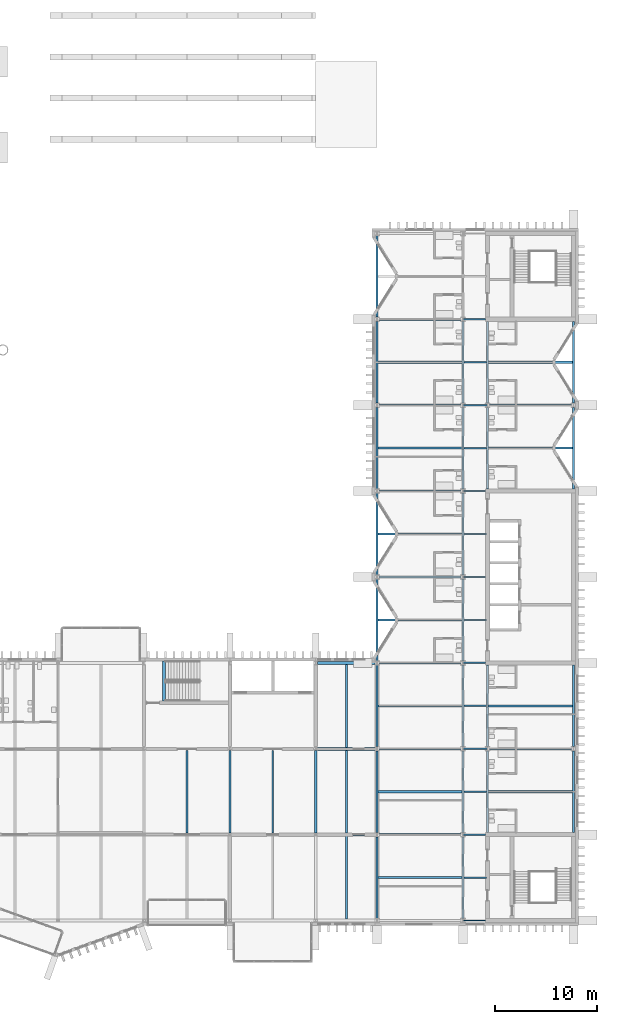
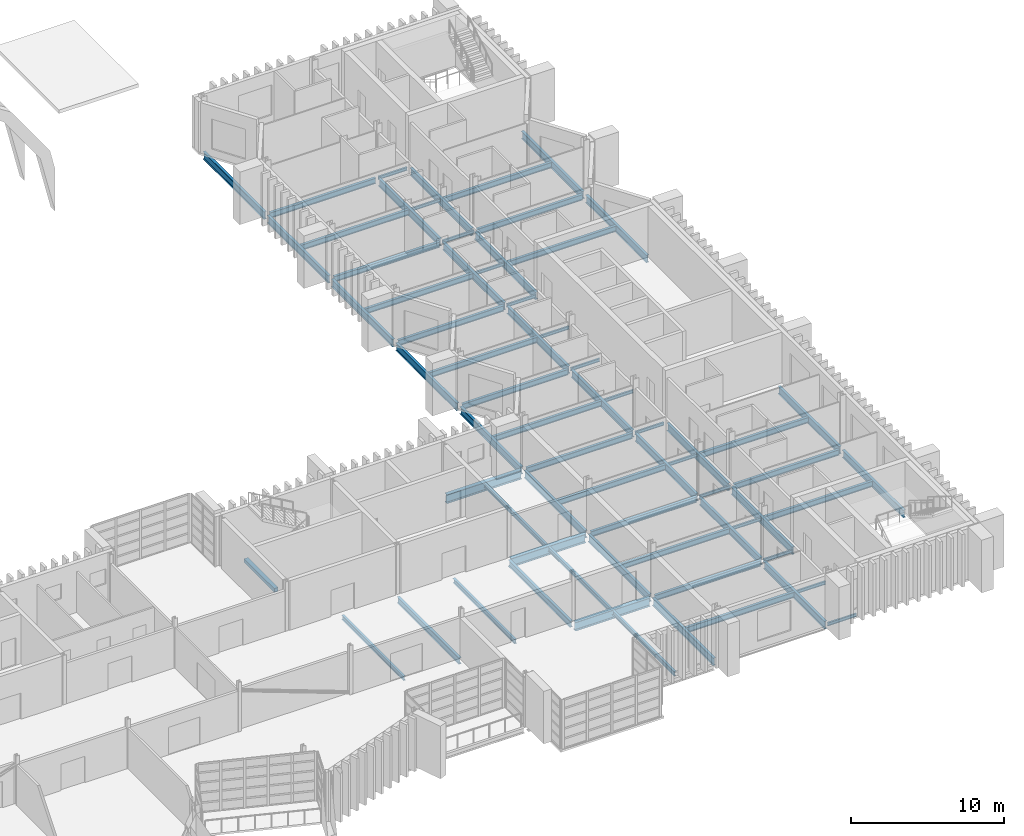
# One storey, part 39 of 88: 69 beams.
"""IFC4 building model written with IfcOpenShell, lengths in metres."""

from ifc_helpers import new_model, si_unit, direction, frame, origin, origin_2d, place, context, subcontext, project, spatial, rectangle, i_section, extrude, material, material_profile, profile_set, type_object, element, save


model = new_model("IFC4")

# Units and contexts
model_context = context("Model", 3, precision=1e-05, world=origin(), true_north=direction((0.0, 1.0)))
body_context = subcontext(model_context, "Body", "Model", "MODEL_VIEW")
ifc_project = project(units=[si_unit("LENGTHUNIT", "METRE"), si_unit("AREAUNIT", "SQUARE_METRE"), si_unit("VOLUMEUNIT", "CUBIC_METRE"), si_unit("PLANEANGLEUNIT", "RADIAN"), si_unit("MASSUNIT", "GRAM", prefix="KILO")], contexts=[model_context])

# Site, building, storey
site_placement = place(None, origin())
site = spatial("IfcSite", under=ifc_project, at=site_placement, CompositionType="ELEMENT")
building_placement = place(site_placement, origin())
building = spatial("IfcBuilding", under=site, at=building_placement, Name="Cresset Court Congress Hotel", CompositionType="ELEMENT")
storey_placement = place(building_placement, frame((0.0, 0.0, 14.39990234375)))
storey = spatial("IfcBuildingStorey", under=building, at=storey_placement, Name="L03", CompositionType="ELEMENT", Elevation=14.39990234375)

# Beams
ifc_material_1 = material(Name="Concrete C40", Category="concrete")
ifc_material_profile_1 = material_profile(ifc_material_1, rectangle(XDim=0.300048828125, YDim=0.300048828125, at=origin_2d()), Name="RC300x300")
ifc_profile_set_1 = profile_set([ifc_material_profile_1], Name="Concrete C40")
beam_type_1 = type_object("IfcBeamType", Name="Stair trimmer beam RC300x300", PredefinedType="BEAM", material=ifc_profile_set_1)
beam_1_placement = place(storey_placement, frame((136.35009765625, 21.449951171875, -0.2998046875), z_axis=(0.0, 1.0, 0.0), x_axis=(-1.0, 0.0, 0.0)))
element("IfcBeam", 1, at=beam_1_placement, inside=storey, type_object=beam_type_1, Name="Trimmer beam ST-B5 L03", PredefinedType="BEAM", context=body_context, shape_type="SweptSolid", body=[
    extrude(rectangle(XDim=0.300048828125, YDim=0.300048828125, at=origin_2d()), origin(), (0.0, 0.0, 1.0), 3.949951171875),
])
ifc_material_2 = material(Name="Structural steel Q355B", Category="steel")
ifc_material_profile_2 = material_profile(ifc_material_2, i_section(OverallWidth=0.198974609375, OverallDepth=0.446044921875, WebThickness=0.008056640625, FlangeThickness=0.011962890625, FilletRadius=0.012939453125, at=origin_2d()), Name="HN446x199x8x12")
ifc_profile_set_2 = profile_set([ifc_material_profile_2], Name="Structural steel Q355B")
beam_type_2 = type_object("IfcBeamType", Name="Steel beam HN446x199x8x12", PredefinedType="BEAM", material=ifc_profile_set_2)
beam_2_placement = place(storey_placement, frame((157.300048828125, 4.199951171875, -0.372802734375), z_axis=(1.0, 0.0, 0.0), x_axis=(0.0, 1.0, 0.0)))
element("IfcBeam", 2, at=beam_2_placement, inside=storey, type_object=beam_type_2, Name="A.bm.L03.W.mid.0", PredefinedType="BEAM", context=body_context, shape_type="SweptSolid", body=[
    extrude(i_section(OverallWidth=0.198974609375, OverallDepth=0.446044921875, WebThickness=0.008056640625, FlangeThickness=0.011962890625, FilletRadius=0.012939453125, at=origin_2d()), origin(), (0.0, 0.0, 1.0), 8.199951171875),
])
beam_3_placement = place(storey_placement, frame((157.402587890625, 8.39990234375, -0.372802734375), z_axis=(1.0, 0.0, 0.0), x_axis=(0.0, 1.0, 0.0)))
element("IfcBeam", 3, at=beam_3_placement, inside=storey, type_object=beam_type_2, Name="A.bm.L03.W.frame0.1", PredefinedType="BEAM", context=body_context, shape_type="SweptSolid", body=[
    extrude(i_section(OverallWidth=0.198974609375, OverallDepth=0.446044921875, WebThickness=0.008056640625, FlangeThickness=0.011962890625, FilletRadius=0.012939453125, at=origin_2d()), origin(), (0.0, 0.0, 1.0), 7.994873046875),
])
for number, where, z_axis, x_axis, name in (
    (4, (157.300048828125, 12.60009765625, -0.372802734375), (1.0, 0.0, 0.0), (0.0, 1.0, 0.0), "A.bm.L03.W.mid.1"),
    (5, (168.10009765625, 12.60009765625, -0.372802734375), (1.0, 0.0, 0.0), (0.0, 1.0, 0.0), "A.bm.L03.E.mid.1"),
):
    element("IfcBeam", number, at=place(storey_placement, frame(where, z_axis=z_axis, x_axis=x_axis)), inside=storey, type_object=beam_type_2, Name=name, PredefinedType="BEAM", context=body_context, shape_type="SweptSolid", body=[
        extrude(i_section(OverallWidth=0.198974609375, OverallDepth=0.446044921875, WebThickness=0.008056640625, FlangeThickness=0.011962890625, FilletRadius=0.012939453125, at=origin_2d()), origin(), (0.0, 0.0, 1.0), 8.199951171875),
    ])
beam_4_placement = place(storey_placement, frame((157.402587890625, 16.800048828125, -0.372802734375), z_axis=(1.0, 0.0, 0.0), x_axis=(0.0, 1.0, 0.0)))
element("IfcBeam", 6, at=beam_4_placement, inside=storey, type_object=beam_type_2, Name="A.bm.L03.W.frame0.2", PredefinedType="BEAM", context=body_context, shape_type="SweptSolid", body=[
    extrude(i_section(OverallWidth=0.198974609375, OverallDepth=0.446044921875, WebThickness=0.008056640625, FlangeThickness=0.011962890625, FilletRadius=0.012939453125, at=origin_2d()), origin(), (0.0, 0.0, 1.0), 7.994873046875),
])
beam_5_placement = place(storey_placement, frame((168.202392578125, 16.800048828125, -0.372802734375), z_axis=(1.0, 0.0, 0.0), x_axis=(0.0, 1.0, 0.0)))
element("IfcBeam", 7, at=beam_5_placement, inside=storey, type_object=beam_type_2, Name="A.bm.L03.E.frame0.2", PredefinedType="BEAM", context=body_context, shape_type="SweptSolid", body=[
    extrude(i_section(OverallWidth=0.198974609375, OverallDepth=0.446044921875, WebThickness=0.008056640625, FlangeThickness=0.011962890625, FilletRadius=0.012939453125, at=origin_2d()), origin(), (0.0, 0.0, 1.0), 7.9951171875),
])
for number, where, z_axis, x_axis, name in (
    (8, (157.300048828125, 21.0, -0.372802734375), (1.0, 0.0, 0.0), (0.0, 1.0, 0.0), "A.bm.L03.W.mid.2"),
    (9, (168.10009765625, 21.0, -0.372802734375), (1.0, 0.0, 0.0), (0.0, 1.0, 0.0), "A.bm.L03.E.mid.2"),
):
    element("IfcBeam", number, at=place(storey_placement, frame(where, z_axis=z_axis, x_axis=x_axis)), inside=storey, type_object=beam_type_2, Name=name, PredefinedType="BEAM", context=body_context, shape_type="SweptSolid", body=[
        extrude(i_section(OverallWidth=0.198974609375, OverallDepth=0.446044921875, WebThickness=0.008056640625, FlangeThickness=0.011962890625, FilletRadius=0.012939453125, at=origin_2d()), origin(), (0.0, 0.0, 1.0), 8.199951171875),
    ])
beam_6_placement = place(storey_placement, frame((157.402587890625, 25.199951171875, -0.372802734375), z_axis=(1.0, 0.0, 0.0), x_axis=(0.0, 1.0, 0.0)))
element("IfcBeam", 10, at=beam_6_placement, inside=storey, type_object=beam_type_2, Name="A.bm.L03.W.frame0.3", PredefinedType="BEAM", context=body_context, shape_type="SweptSolid", body=[
    extrude(i_section(OverallWidth=0.198974609375, OverallDepth=0.446044921875, WebThickness=0.008056640625, FlangeThickness=0.011962890625, FilletRadius=0.012939453125, at=origin_2d()), origin(), (0.0, 0.0, 1.0), 7.994873046875),
])
beam_7_placement = place(storey_placement, frame((157.300048828125, 29.39990234375, -0.372802734375), z_axis=(1.0, 0.0, 0.0), x_axis=(0.0, 1.0, 0.0)))
element("IfcBeam", 11, at=beam_7_placement, inside=storey, type_object=beam_type_2, Name="A.bm.L03.W.mid.3", PredefinedType="BEAM", context=body_context, shape_type="SweptSolid", body=[
    extrude(i_section(OverallWidth=0.198974609375, OverallDepth=0.446044921875, WebThickness=0.008056640625, FlangeThickness=0.011962890625, FilletRadius=0.012939453125, at=origin_2d()), origin(), (0.0, 0.0, 1.0), 8.199951171875),
])
beam_8_placement = place(storey_placement, frame((157.402587890625, 33.60009765625, -0.372802734375), z_axis=(1.0, 0.0, 0.0), x_axis=(0.0, 1.0, 0.0)))
element("IfcBeam", 12, at=beam_8_placement, inside=storey, type_object=beam_type_2, Name="A.bm.L03.W.frame0.4", PredefinedType="BEAM", context=body_context, shape_type="SweptSolid", body=[
    extrude(i_section(OverallWidth=0.198974609375, OverallDepth=0.446044921875, WebThickness=0.008056640625, FlangeThickness=0.011962890625, FilletRadius=0.012939453125, at=origin_2d()), origin(), (0.0, 0.0, 1.0), 7.994873046875),
])
beam_9_placement = place(storey_placement, frame((157.300048828125, 37.800048828125, -0.372802734375), z_axis=(1.0, 0.0, 0.0), x_axis=(0.0, 1.0, 0.0)))
element("IfcBeam", 13, at=beam_9_placement, inside=storey, type_object=beam_type_2, Name="A.bm.L03.W.mid.4", PredefinedType="BEAM", context=body_context, shape_type="SweptSolid", body=[
    extrude(i_section(OverallWidth=0.198974609375, OverallDepth=0.446044921875, WebThickness=0.008056640625, FlangeThickness=0.011962890625, FilletRadius=0.012939453125, at=origin_2d()), origin(), (0.0, 0.0, 1.0), 8.199951171875),
])
beam_10_placement = place(storey_placement, frame((157.402587890625, 42.0, -0.372802734375), z_axis=(1.0, 0.0, 0.0), x_axis=(0.0, 1.0, 0.0)))
element("IfcBeam", 14, at=beam_10_placement, inside=storey, type_object=beam_type_2, Name="A.bm.L03.W.frame0.5", PredefinedType="BEAM", context=body_context, shape_type="SweptSolid", body=[
    extrude(i_section(OverallWidth=0.198974609375, OverallDepth=0.446044921875, WebThickness=0.008056640625, FlangeThickness=0.011962890625, FilletRadius=0.012939453125, at=origin_2d()), origin(), (0.0, 0.0, 1.0), 7.994873046875),
])
for number, where, z_axis, x_axis, name in (
    (15, (157.300048828125, 46.199951171875, -0.372802734375), (1.0, 0.0, 0.0), (0.0, 1.0, 0.0), "A.bm.L03.W.mid.5"),
    (16, (168.10009765625, 46.199951171875, -0.372802734375), (1.0, 0.0, 0.0), (0.0, 1.0, 0.0), "A.bm.L03.E.mid.5"),
):
    element("IfcBeam", number, at=place(storey_placement, frame(where, z_axis=z_axis, x_axis=x_axis)), inside=storey, type_object=beam_type_2, Name=name, PredefinedType="BEAM", context=body_context, shape_type="SweptSolid", body=[
        extrude(i_section(OverallWidth=0.198974609375, OverallDepth=0.446044921875, WebThickness=0.008056640625, FlangeThickness=0.011962890625, FilletRadius=0.012939453125, at=origin_2d()), origin(), (0.0, 0.0, 1.0), 8.199951171875),
    ])
beam_11_placement = place(storey_placement, frame((157.402587890625, 50.39990234375, -0.372802734375), z_axis=(1.0, 0.0, 0.0), x_axis=(0.0, 1.0, 0.0)))
element("IfcBeam", 17, at=beam_11_placement, inside=storey, type_object=beam_type_2, Name="A.bm.L03.W.frame0.6", PredefinedType="BEAM", context=body_context, shape_type="SweptSolid", body=[
    extrude(i_section(OverallWidth=0.198974609375, OverallDepth=0.446044921875, WebThickness=0.008056640625, FlangeThickness=0.011962890625, FilletRadius=0.012939453125, at=origin_2d()), origin(), (0.0, 0.0, 1.0), 7.994873046875),
])
beam_12_placement = place(storey_placement, frame((168.202392578125, 50.39990234375, -0.372802734375), z_axis=(1.0, 0.0, 0.0), x_axis=(0.0, 1.0, 0.0)))
element("IfcBeam", 18, at=beam_12_placement, inside=storey, type_object=beam_type_2, Name="A.bm.L03.E.frame0.6", PredefinedType="BEAM", context=body_context, shape_type="SweptSolid", body=[
    extrude(i_section(OverallWidth=0.198974609375, OverallDepth=0.446044921875, WebThickness=0.008056640625, FlangeThickness=0.011962890625, FilletRadius=0.012939453125, at=origin_2d()), origin(), (0.0, 0.0, 1.0), 7.9951171875),
])
for number, where, z_axis, x_axis, name in (
    (19, (157.300048828125, 54.60009765625, -0.372802734375), (1.0, 0.0, 0.0), (0.0, 1.0, 0.0), "A.bm.L03.W.mid.6"),
    (20, (168.10009765625, 54.60009765625, -0.372802734375), (1.0, 0.0, 0.0), (0.0, 1.0, 0.0), "A.bm.L03.E.mid.6"),
):
    element("IfcBeam", number, at=place(storey_placement, frame(where, z_axis=z_axis, x_axis=x_axis)), inside=storey, type_object=beam_type_2, Name=name, PredefinedType="BEAM", context=body_context, shape_type="SweptSolid", body=[
        extrude(i_section(OverallWidth=0.198974609375, OverallDepth=0.446044921875, WebThickness=0.008056640625, FlangeThickness=0.011962890625, FilletRadius=0.012939453125, at=origin_2d()), origin(), (0.0, 0.0, 1.0), 8.199951171875),
    ])
beam_13_placement = place(storey_placement, frame((157.402587890625, 58.800048828125, -0.372802734375), z_axis=(1.0, 0.0, 0.0), x_axis=(0.0, 1.0, 0.0)))
element("IfcBeam", 21, at=beam_13_placement, inside=storey, type_object=beam_type_2, Name="A.bm.L03.W.frame0.7", PredefinedType="BEAM", context=body_context, shape_type="SweptSolid", body=[
    extrude(i_section(OverallWidth=0.198974609375, OverallDepth=0.446044921875, WebThickness=0.008056640625, FlangeThickness=0.011962890625, FilletRadius=0.012939453125, at=origin_2d()), origin(), (0.0, 0.0, 1.0), 7.994873046875),
])
ifc_material_3 = material(Name="Structural steel Q355B", Category="steel")
ifc_material_profile_3 = material_profile(ifc_material_3, i_section(OverallWidth=0.199951171875, OverallDepth=0.5, WebThickness=0.010009765625, FlangeThickness=0.01611328125, FilletRadius=0.012939453125, at=origin_2d()), Name="HN500x200x10x16")
ifc_profile_set_3 = profile_set([ifc_material_profile_3], Name="Structural steel Q355B")
beam_type_3 = type_object("IfcBeamType", Name="Steel beam HN500x200x10x16", PredefinedType="BEAM", material=ifc_profile_set_3)
for number, where, z_axis, x_axis, name in (
    (22, (142.800048828125, 8.550048828125, -0.39990234375), (0.0, 1.0, 0.0), (-1.0, 0.0, 0.0), "B.by.L03.18B"),
    (23, (151.199951171875, 8.550048828125, -0.39990234375), (0.0, 1.0, 0.0), (-1.0, 0.0, 0.0), "B.by.L03.19B"),
):
    element("IfcBeam", number, at=place(storey_placement, frame(where, z_axis=z_axis, x_axis=x_axis)), inside=storey, type_object=beam_type_3, Name=name, PredefinedType="BEAM", context=body_context, shape_type="SweptSolid", body=[
        extrude(i_section(OverallWidth=0.199951171875, OverallDepth=0.5, WebThickness=0.010009765625, FlangeThickness=0.01611328125, FilletRadius=0.012939453125, at=origin_2d()), origin(), (0.0, 0.0, 1.0), 8.099853515625),
    ])
ifc_material_4 = material(Name="Structural steel Q355B", Category="steel")
ifc_material_profile_4 = material_profile(ifc_material_4, i_section(OverallWidth=0.300048828125, OverallDepth=0.699951171875, WebThickness=0.012939453125, FlangeThickness=0.02392578125, FilletRadius=0.01806640625, at=origin_2d()), Name="HN700x300x13x24")
ifc_profile_set_4 = profile_set([ifc_material_profile_4], Name="Structural steel Q355B")
beam_type_4 = type_object("IfcBeamType", Name="Steel beam HN700x300x13x24", PredefinedType="BEAM", material=ifc_profile_set_4)
for number, where, z_axis, x_axis, name in (
    (24, (151.35009765625, 8.39990234375, -0.5), (1.0, 0.0, 0.0), (0.0, 1.0, 0.0), "B.bx.L03.B19"),
    (25, (151.35009765625, 16.800048828125, -0.5), (1.0, 0.0, 0.0), (0.0, 1.0, 0.0), "B.bx.L03.C19"),
    (26, (151.35009765625, 25.199951171875, -0.5), (1.0, 0.0, 0.0), (0.0, 1.0, 0.0), "B.bx.L03.D19"),
):
    element("IfcBeam", number, at=place(storey_placement, frame(where, z_axis=z_axis, x_axis=x_axis)), inside=storey, type_object=beam_type_4, Name=name, PredefinedType="BEAM", context=body_context, shape_type="SweptSolid", body=[
        extrude(i_section(OverallWidth=0.300048828125, OverallDepth=0.699951171875, WebThickness=0.012939453125, FlangeThickness=0.02392578125, FilletRadius=0.01806640625, at=origin_2d()), origin(), (0.0, 0.0, 1.0), 5.64990234375),
    ])
ifc_material_5 = material(Name="Structural steel Q355B", Category="steel")
ifc_material_profile_5 = material_profile(ifc_material_5, i_section(OverallWidth=0.125, OverallDepth=0.25, WebThickness=0.006103515625, FlangeThickness=0.009033203125, FilletRadius=0.012939453125, at=origin_2d()), Name="HN250x125x6x9")
ifc_profile_set_5 = profile_set([ifc_material_profile_5], Name="Structural steel Q355B")
beam_type_5 = type_object("IfcBeamType", Name="Steel corridor beam HN250x125x6x9", PredefinedType="BEAM", material=ifc_profile_set_5)
beam_14_placement = place(storey_placement, frame((165.60888671875, 0.0, -0.27490234375), z_axis=(1.0, 0.0, 0.0), x_axis=(0.0, 1.0, 0.0)))
element("IfcBeam", 27, at=beam_14_placement, inside=storey, type_object=beam_type_5, Name="A.bm.L03.C.frame0.0", PredefinedType="BEAM", context=body_context, shape_type="SweptSolid", body=[
    extrude(i_section(OverallWidth=0.125, OverallDepth=0.25, WebThickness=0.006103515625, FlangeThickness=0.009033203125, FilletRadius=0.012939453125, at=origin_2d()), origin(), (0.0, 0.0, 1.0), 2.191162109375),
])
beam_15_placement = place(storey_placement, frame((165.699951171875, 4.199951171875, -0.27490234375), z_axis=(1.0, 0.0, 0.0), x_axis=(0.0, 1.0, 0.0)))
element("IfcBeam", 28, at=beam_15_placement, inside=storey, type_object=beam_type_5, Name="A.bm.L03.C.mid.0", PredefinedType="BEAM", context=body_context, shape_type="SweptSolid", body=[
    extrude(i_section(OverallWidth=0.125, OverallDepth=0.25, WebThickness=0.006103515625, FlangeThickness=0.009033203125, FilletRadius=0.012939453125, at=origin_2d()), origin(), (0.0, 0.0, 1.0), 2.199951171875),
])
beam_16_placement = place(storey_placement, frame((165.60888671875, 8.39990234375, -0.27490234375), z_axis=(1.0, 0.0, 0.0), x_axis=(0.0, 1.0, 0.0)))
element("IfcBeam", 29, at=beam_16_placement, inside=storey, type_object=beam_type_5, Name="A.bm.L03.C.frame0.1", PredefinedType="BEAM", context=body_context, shape_type="SweptSolid", body=[
    extrude(i_section(OverallWidth=0.125, OverallDepth=0.25, WebThickness=0.006103515625, FlangeThickness=0.009033203125, FilletRadius=0.012939453125, at=origin_2d()), origin(), (0.0, 0.0, 1.0), 2.191162109375),
])
beam_17_placement = place(storey_placement, frame((165.699951171875, 12.60009765625, -0.27490234375), z_axis=(1.0, 0.0, 0.0), x_axis=(0.0, 1.0, 0.0)))
element("IfcBeam", 30, at=beam_17_placement, inside=storey, type_object=beam_type_5, Name="A.bm.L03.C.mid.1", PredefinedType="BEAM", context=body_context, shape_type="SweptSolid", body=[
    extrude(i_section(OverallWidth=0.125, OverallDepth=0.25, WebThickness=0.006103515625, FlangeThickness=0.009033203125, FilletRadius=0.012939453125, at=origin_2d()), origin(), (0.0, 0.0, 1.0), 2.199951171875),
])
beam_18_placement = place(storey_placement, frame((165.60888671875, 16.800048828125, -0.27490234375), z_axis=(1.0, 0.0, 0.0), x_axis=(0.0, 1.0, 0.0)))
element("IfcBeam", 31, at=beam_18_placement, inside=storey, type_object=beam_type_5, Name="A.bm.L03.C.frame0.2", PredefinedType="BEAM", context=body_context, shape_type="SweptSolid", body=[
    extrude(i_section(OverallWidth=0.125, OverallDepth=0.25, WebThickness=0.006103515625, FlangeThickness=0.009033203125, FilletRadius=0.012939453125, at=origin_2d()), origin(), (0.0, 0.0, 1.0), 2.382080078125),
])
beam_19_placement = place(storey_placement, frame((165.699951171875, 21.0, -0.27490234375), z_axis=(1.0, 0.0, 0.0), x_axis=(0.0, 1.0, 0.0)))
element("IfcBeam", 32, at=beam_19_placement, inside=storey, type_object=beam_type_5, Name="A.bm.L03.C.mid.2", PredefinedType="BEAM", context=body_context, shape_type="SweptSolid", body=[
    extrude(i_section(OverallWidth=0.125, OverallDepth=0.25, WebThickness=0.006103515625, FlangeThickness=0.009033203125, FilletRadius=0.012939453125, at=origin_2d()), origin(), (0.0, 0.0, 1.0), 2.199951171875),
])
beam_20_placement = place(storey_placement, frame((165.60888671875, 25.199951171875, -0.27490234375), z_axis=(1.0, 0.0, 0.0), x_axis=(0.0, 1.0, 0.0)))
element("IfcBeam", 33, at=beam_20_placement, inside=storey, type_object=beam_type_5, Name="A.bm.L03.C.frame0.3", PredefinedType="BEAM", context=body_context, shape_type="SweptSolid", body=[
    extrude(i_section(OverallWidth=0.125, OverallDepth=0.25, WebThickness=0.006103515625, FlangeThickness=0.009033203125, FilletRadius=0.012939453125, at=origin_2d()), origin(), (0.0, 0.0, 1.0), 2.191162109375),
])
beam_21_placement = place(storey_placement, frame((165.699951171875, 29.39990234375, -0.27490234375), z_axis=(1.0, 0.0, 0.0), x_axis=(0.0, 1.0, 0.0)))
element("IfcBeam", 34, at=beam_21_placement, inside=storey, type_object=beam_type_5, Name="A.bm.L03.C.mid.3", PredefinedType="BEAM", context=body_context, shape_type="SweptSolid", body=[
    extrude(i_section(OverallWidth=0.125, OverallDepth=0.25, WebThickness=0.006103515625, FlangeThickness=0.009033203125, FilletRadius=0.012939453125, at=origin_2d()), origin(), (0.0, 0.0, 1.0), 2.199951171875),
])
beam_22_placement = place(storey_placement, frame((165.60888671875, 33.60009765625, -0.27490234375), z_axis=(1.0, 0.0, 0.0), x_axis=(0.0, 1.0, 0.0)))
element("IfcBeam", 35, at=beam_22_placement, inside=storey, type_object=beam_type_5, Name="A.bm.L03.C.frame0.4", PredefinedType="BEAM", context=body_context, shape_type="SweptSolid", body=[
    extrude(i_section(OverallWidth=0.125, OverallDepth=0.25, WebThickness=0.006103515625, FlangeThickness=0.009033203125, FilletRadius=0.012939453125, at=origin_2d()), origin(), (0.0, 0.0, 1.0), 2.191162109375),
])
beam_23_placement = place(storey_placement, frame((165.699951171875, 37.800048828125, -0.27490234375), z_axis=(1.0, 0.0, 0.0), x_axis=(0.0, 1.0, 0.0)))
element("IfcBeam", 36, at=beam_23_placement, inside=storey, type_object=beam_type_5, Name="A.bm.L03.C.mid.4", PredefinedType="BEAM", context=body_context, shape_type="SweptSolid", body=[
    extrude(i_section(OverallWidth=0.125, OverallDepth=0.25, WebThickness=0.006103515625, FlangeThickness=0.009033203125, FilletRadius=0.012939453125, at=origin_2d()), origin(), (0.0, 0.0, 1.0), 2.199951171875),
])
beam_24_placement = place(storey_placement, frame((165.60888671875, 42.0, -0.27490234375), z_axis=(1.0, 0.0, 0.0), x_axis=(0.0, 1.0, 0.0)))
element("IfcBeam", 37, at=beam_24_placement, inside=storey, type_object=beam_type_5, Name="A.bm.L03.C.frame0.5", PredefinedType="BEAM", context=body_context, shape_type="SweptSolid", body=[
    extrude(i_section(OverallWidth=0.125, OverallDepth=0.25, WebThickness=0.006103515625, FlangeThickness=0.009033203125, FilletRadius=0.012939453125, at=origin_2d()), origin(), (0.0, 0.0, 1.0), 2.191162109375),
])
beam_25_placement = place(storey_placement, frame((165.699951171875, 46.199951171875, -0.27490234375), z_axis=(1.0, 0.0, 0.0), x_axis=(0.0, 1.0, 0.0)))
element("IfcBeam", 38, at=beam_25_placement, inside=storey, type_object=beam_type_5, Name="A.bm.L03.C.mid.5", PredefinedType="BEAM", context=body_context, shape_type="SweptSolid", body=[
    extrude(i_section(OverallWidth=0.125, OverallDepth=0.25, WebThickness=0.006103515625, FlangeThickness=0.009033203125, FilletRadius=0.012939453125, at=origin_2d()), origin(), (0.0, 0.0, 1.0), 2.199951171875),
])
beam_26_placement = place(storey_placement, frame((165.60888671875, 50.39990234375, -0.27490234375), z_axis=(1.0, 0.0, 0.0), x_axis=(0.0, 1.0, 0.0)))
element("IfcBeam", 39, at=beam_26_placement, inside=storey, type_object=beam_type_5, Name="A.bm.L03.C.frame0.6", PredefinedType="BEAM", context=body_context, shape_type="SweptSolid", body=[
    extrude(i_section(OverallWidth=0.125, OverallDepth=0.25, WebThickness=0.006103515625, FlangeThickness=0.009033203125, FilletRadius=0.012939453125, at=origin_2d()), origin(), (0.0, 0.0, 1.0), 2.382080078125),
])
beam_27_placement = place(storey_placement, frame((165.699951171875, 54.60009765625, -0.27490234375), z_axis=(1.0, 0.0, 0.0), x_axis=(0.0, 1.0, 0.0)))
element("IfcBeam", 40, at=beam_27_placement, inside=storey, type_object=beam_type_5, Name="A.bm.L03.C.mid.6", PredefinedType="BEAM", context=body_context, shape_type="SweptSolid", body=[
    extrude(i_section(OverallWidth=0.125, OverallDepth=0.25, WebThickness=0.006103515625, FlangeThickness=0.009033203125, FilletRadius=0.012939453125, at=origin_2d()), origin(), (0.0, 0.0, 1.0), 2.199951171875),
])
beam_28_placement = place(storey_placement, frame((165.60888671875, 58.800048828125, -0.27490234375), z_axis=(1.0, 0.0, 0.0), x_axis=(0.0, 1.0, 0.0)))
element("IfcBeam", 41, at=beam_28_placement, inside=storey, type_object=beam_type_5, Name="A.bm.L03.C.frame0.7", PredefinedType="BEAM", context=body_context, shape_type="SweptSolid", body=[
    extrude(i_section(OverallWidth=0.125, OverallDepth=0.25, WebThickness=0.006103515625, FlangeThickness=0.009033203125, FilletRadius=0.012939453125, at=origin_2d()), origin(), (0.0, 0.0, 1.0), 2.191162109375),
])
ifc_material_6 = material(Name="Structural steel Q355B", Category="steel")
ifc_material_profile_6 = material_profile(ifc_material_6, i_section(OverallWidth=0.199951171875, OverallDepth=0.60009765625, WebThickness=0.010986328125, FlangeThickness=0.01708984375, FilletRadius=0.012939453125, at=origin_2d()), Name="HN600x200x11x17")
ifc_profile_set_6 = profile_set([ifc_material_profile_6], Name="Structural steel Q355B")
beam_type_6 = type_object("IfcBeamType", Name="Steel girder HN600x200x11x17", PredefinedType="BEAM", material=ifc_profile_set_6)
for number, where, z_axis, x_axis, name in (
    (42, (157.199951171875, 0.20703125, -0.449951171875), (0.0, 1.0, 0.0), (-1.0, 0.0, 0.0), "A.gir.L03.0.0"),
    (43, (157.199951171875, 8.60693359375, -0.449951171875), (0.0, 1.0, 0.0), (-1.0, 0.0, 0.0), "A.gir.L03.0.1"),
):
    element("IfcBeam", number, at=place(storey_placement, frame(where, z_axis=z_axis, x_axis=x_axis)), inside=storey, type_object=beam_type_6, Name=name, PredefinedType="BEAM", context=body_context, shape_type="SweptSolid", body=[
        extrude(i_section(OverallWidth=0.199951171875, OverallDepth=0.60009765625, WebThickness=0.010986328125, FlangeThickness=0.01708984375, FilletRadius=0.012939453125, at=origin_2d()), origin(), (0.0, 0.0, 1.0), 7.986083984375),
    ])
beam_29_placement = place(storey_placement, frame((157.199951171875, 17.007080078125, -0.449951171875), z_axis=(0.0, 1.0, 0.0), x_axis=(-1.0, 0.0, 0.0)))
element("IfcBeam", 44, at=beam_29_placement, inside=storey, type_object=beam_type_6, Name="A.gir.L03.0.2", PredefinedType="BEAM", context=body_context, shape_type="SweptSolid", body=[
    extrude(i_section(OverallWidth=0.199951171875, OverallDepth=0.60009765625, WebThickness=0.010986328125, FlangeThickness=0.01708984375, FilletRadius=0.012939453125, at=origin_2d()), origin(), (0.0, 0.0, 1.0), 7.98583984375),
])
for number, where, z_axis, x_axis, name in (
    (45, (157.199951171875, 25.406982421875, -0.449951171875), (0.0, 1.0, 0.0), (-1.0, 0.0, 0.0), "A.gir.L03.0.3"),
    (46, (157.199951171875, 33.806884765625, -0.449951171875), (0.0, 1.0, 0.0), (-1.0, 0.0, 0.0), "A.gir.L03.0.4"),
    (47, (157.199951171875, 42.20703125, -0.449951171875), (0.0, 1.0, 0.0), (-1.0, 0.0, 0.0), "A.gir.L03.0.5"),
    (48, (157.199951171875, 50.60693359375, -0.449951171875), (0.0, 1.0, 0.0), (-1.0, 0.0, 0.0), "A.gir.L03.0.6"),
):
    element("IfcBeam", number, at=place(storey_placement, frame(where, z_axis=z_axis, x_axis=x_axis)), inside=storey, type_object=beam_type_6, Name=name, PredefinedType="BEAM", context=body_context, shape_type="SweptSolid", body=[
        extrude(i_section(OverallWidth=0.199951171875, OverallDepth=0.60009765625, WebThickness=0.010986328125, FlangeThickness=0.01708984375, FilletRadius=0.012939453125, at=origin_2d()), origin(), (0.0, 0.0, 1.0), 7.986083984375),
    ])
beam_30_placement = place(storey_placement, frame((157.199951171875, 59.007080078125, -0.449951171875), z_axis=(0.0, 1.0, 0.0), x_axis=(-1.0, 0.0, 0.0)))
element("IfcBeam", 49, at=beam_30_placement, inside=storey, type_object=beam_type_6, Name="A.gir.L03.0.7", PredefinedType="BEAM", context=body_context, shape_type="SweptSolid", body=[
    extrude(i_section(OverallWidth=0.199951171875, OverallDepth=0.60009765625, WebThickness=0.010986328125, FlangeThickness=0.01708984375, FilletRadius=0.012939453125, at=origin_2d()), origin(), (0.0, 0.0, 1.0), 7.98583984375),
])
for number, where, z_axis, x_axis, name in (
    (50, (165.60009765625, 0.20703125, -0.449951171875), (0.0, 1.0, 0.0), (-1.0, 0.0, 0.0), "A.gir.L03.1.0"),
    (51, (165.60009765625, 8.60693359375, -0.449951171875), (0.0, 1.0, 0.0), (-1.0, 0.0, 0.0), "A.gir.L03.1.1"),
):
    element("IfcBeam", number, at=place(storey_placement, frame(where, z_axis=z_axis, x_axis=x_axis)), inside=storey, type_object=beam_type_6, Name=name, PredefinedType="BEAM", context=body_context, shape_type="SweptSolid", body=[
        extrude(i_section(OverallWidth=0.199951171875, OverallDepth=0.60009765625, WebThickness=0.010986328125, FlangeThickness=0.01708984375, FilletRadius=0.012939453125, at=origin_2d()), origin(), (0.0, 0.0, 1.0), 7.986083984375),
    ])
beam_31_placement = place(storey_placement, frame((165.60009765625, 17.007080078125, -0.449951171875), z_axis=(0.0, 1.0, 0.0), x_axis=(-1.0, 0.0, 0.0)))
element("IfcBeam", 52, at=beam_31_placement, inside=storey, type_object=beam_type_6, Name="A.gir.L03.1.2", PredefinedType="BEAM", context=body_context, shape_type="SweptSolid", body=[
    extrude(i_section(OverallWidth=0.199951171875, OverallDepth=0.60009765625, WebThickness=0.010986328125, FlangeThickness=0.01708984375, FilletRadius=0.012939453125, at=origin_2d()), origin(), (0.0, 0.0, 1.0), 7.98583984375),
])
for number, where, z_axis, x_axis, name in (
    (53, (165.60009765625, 25.406982421875, -0.449951171875), (0.0, 1.0, 0.0), (-1.0, 0.0, 0.0), "A.gir.L03.1.3"),
    (54, (165.60009765625, 33.806884765625, -0.449951171875), (0.0, 1.0, 0.0), (-1.0, 0.0, 0.0), "A.gir.L03.1.4"),
    (55, (165.60009765625, 42.20703125, -0.449951171875), (0.0, 1.0, 0.0), (-1.0, 0.0, 0.0), "A.gir.L03.1.5"),
    (56, (165.60009765625, 50.60693359375, -0.449951171875), (0.0, 1.0, 0.0), (-1.0, 0.0, 0.0), "A.gir.L03.1.6"),
):
    element("IfcBeam", number, at=place(storey_placement, frame(where, z_axis=z_axis, x_axis=x_axis)), inside=storey, type_object=beam_type_6, Name=name, PredefinedType="BEAM", context=body_context, shape_type="SweptSolid", body=[
        extrude(i_section(OverallWidth=0.199951171875, OverallDepth=0.60009765625, WebThickness=0.010986328125, FlangeThickness=0.01708984375, FilletRadius=0.012939453125, at=origin_2d()), origin(), (0.0, 0.0, 1.0), 7.986083984375),
    ])
for number, where, z_axis, x_axis, name in (
    (57, (168.0, 8.60009765625, -0.449951171875), (0.0, 1.0, 0.0), (-1.0, 0.0, 0.0), "A.gir.L03.2.1"),
    (58, (168.0, 17.007080078125, -0.449951171875), (0.0, 1.0, 0.0), (-1.0, 0.0, 0.0), "A.gir.L03.2.2"),
):
    element("IfcBeam", number, at=place(storey_placement, frame(where, z_axis=z_axis, x_axis=x_axis)), inside=storey, type_object=beam_type_6, Name=name, PredefinedType="BEAM", context=body_context, shape_type="SweptSolid", body=[
        extrude(i_section(OverallWidth=0.199951171875, OverallDepth=0.60009765625, WebThickness=0.010986328125, FlangeThickness=0.01708984375, FilletRadius=0.012939453125, at=origin_2d()), origin(), (0.0, 0.0, 1.0), 7.992919921875),
    ])
for number, where, z_axis, x_axis, name in (
    (59, (168.0, 42.199951171875, -0.449951171875), (0.0, 1.0, 0.0), (-1.0, 0.0, 0.0), "A.gir.L03.2.5"),
    (60, (168.0, 50.60693359375, -0.449951171875), (0.0, 1.0, 0.0), (-1.0, 0.0, 0.0), "A.gir.L03.2.6"),
):
    element("IfcBeam", number, at=place(storey_placement, frame(where, z_axis=z_axis, x_axis=x_axis)), inside=storey, type_object=beam_type_6, Name=name, PredefinedType="BEAM", context=body_context, shape_type="SweptSolid", body=[
        extrude(i_section(OverallWidth=0.199951171875, OverallDepth=0.60009765625, WebThickness=0.010986328125, FlangeThickness=0.01708984375, FilletRadius=0.012939453125, at=origin_2d()), origin(), (0.0, 0.0, 1.0), 7.9931640625),
    ])
for number, where, z_axis, x_axis, name in (
    (61, (176.39990234375, 8.60009765625, -0.449951171875), (0.0, 1.0, 0.0), (-1.0, 0.0, 0.0), "A.gir.L03.3.1"),
    (62, (176.39990234375, 17.007080078125, -0.449951171875), (0.0, 1.0, 0.0), (-1.0, 0.0, 0.0), "A.gir.L03.3.2"),
):
    element("IfcBeam", number, at=place(storey_placement, frame(where, z_axis=z_axis, x_axis=x_axis)), inside=storey, type_object=beam_type_6, Name=name, PredefinedType="BEAM", context=body_context, shape_type="SweptSolid", body=[
        extrude(i_section(OverallWidth=0.199951171875, OverallDepth=0.60009765625, WebThickness=0.010986328125, FlangeThickness=0.01708984375, FilletRadius=0.012939453125, at=origin_2d()), origin(), (0.0, 0.0, 1.0), 7.992919921875),
    ])
for number, where, z_axis, x_axis, name in (
    (63, (176.39990234375, 42.199951171875, -0.449951171875), (0.0, 1.0, 0.0), (-1.0, 0.0, 0.0), "A.gir.L03.3.5"),
    (64, (176.39990234375, 50.60693359375, -0.449951171875), (0.0, 1.0, 0.0), (-1.0, 0.0, 0.0), "A.gir.L03.3.6"),
):
    element("IfcBeam", number, at=place(storey_placement, frame(where, z_axis=z_axis, x_axis=x_axis)), inside=storey, type_object=beam_type_6, Name=name, PredefinedType="BEAM", context=body_context, shape_type="SweptSolid", body=[
        extrude(i_section(OverallWidth=0.199951171875, OverallDepth=0.60009765625, WebThickness=0.010986328125, FlangeThickness=0.01708984375, FilletRadius=0.012939453125, at=origin_2d()), origin(), (0.0, 0.0, 1.0), 7.9931640625),
    ])
ifc_material_7 = material(Name="Structural steel Q355B", Category="steel")
ifc_material_profile_7 = material_profile(ifc_material_7, i_section(OverallWidth=0.175048828125, OverallDepth=0.35009765625, WebThickness=0.007080078125, FlangeThickness=0.010986328125, FilletRadius=0.012939453125, at=origin_2d()), Name="HN350x175x7x11")
ifc_profile_set_7 = profile_set([ifc_material_profile_7], Name="Structural steel Q355B")
beam_type_7 = type_object("IfcBeamType", Name="Steel joist HN350x175x7x11", PredefinedType="JOIST", material=ifc_profile_set_7)
for number, where, z_axis, x_axis, name in (
    (65, (138.60009765625, 8.550048828125, -0.324951171875), (0.0, 1.0, 0.0), (-1.0, 0.0, 0.0), "B.bj.L03.17B"),
    (66, (147.0, 8.550048828125, -0.324951171875), (0.0, 1.0, 0.0), (-1.0, 0.0, 0.0), "B.bj.L03.18B"),
):
    element("IfcBeam", number, at=place(storey_placement, frame(where, z_axis=z_axis, x_axis=x_axis)), inside=storey, type_object=beam_type_7, Name=name, PredefinedType="JOIST", context=body_context, shape_type="SweptSolid", body=[
        extrude(i_section(OverallWidth=0.175048828125, OverallDepth=0.35009765625, WebThickness=0.007080078125, FlangeThickness=0.010986328125, FilletRadius=0.012939453125, at=origin_2d()), origin(), (0.0, 0.0, 1.0), 8.099853515625),
    ])
beam_32_placement = place(storey_placement, frame((154.199951171875, 0.14990234375, -0.324951171875), z_axis=(0.0, 1.0, 0.0), x_axis=(-1.0, 0.0, 0.0)))
element("IfcBeam", 67, at=beam_32_placement, inside=storey, type_object=beam_type_7, Name="B.bj.L03.19A", PredefinedType="JOIST", context=body_context, shape_type="SweptSolid", body=[
    extrude(i_section(OverallWidth=0.175048828125, OverallDepth=0.35009765625, WebThickness=0.007080078125, FlangeThickness=0.010986328125, FilletRadius=0.012939453125, at=origin_2d()), origin(), (0.0, 0.0, 1.0), 8.10009765625),
])
beam_33_placement = place(storey_placement, frame((154.199951171875, 8.550048828125, -0.324951171875), z_axis=(0.0, 1.0, 0.0), x_axis=(-1.0, 0.0, 0.0)))
element("IfcBeam", 68, at=beam_33_placement, inside=storey, type_object=beam_type_7, Name="B.bj.L03.19B", PredefinedType="JOIST", context=body_context, shape_type="SweptSolid", body=[
    extrude(i_section(OverallWidth=0.175048828125, OverallDepth=0.35009765625, WebThickness=0.007080078125, FlangeThickness=0.010986328125, FilletRadius=0.012939453125, at=origin_2d()), origin(), (0.0, 0.0, 1.0), 8.099853515625),
])
beam_34_placement = place(storey_placement, frame((154.199951171875, 16.949951171875, -0.324951171875), z_axis=(0.0, 1.0, 0.0), x_axis=(-1.0, 0.0, 0.0)))
element("IfcBeam", 69, at=beam_34_placement, inside=storey, type_object=beam_type_7, Name="B.bj.L03.19C", PredefinedType="JOIST", context=body_context, shape_type="SweptSolid", body=[
    extrude(i_section(OverallWidth=0.175048828125, OverallDepth=0.35009765625, WebThickness=0.007080078125, FlangeThickness=0.010986328125, FilletRadius=0.012939453125, at=origin_2d()), origin(), (0.0, 0.0, 1.0), 8.10009765625),
])

save(model, "model.ifc")
